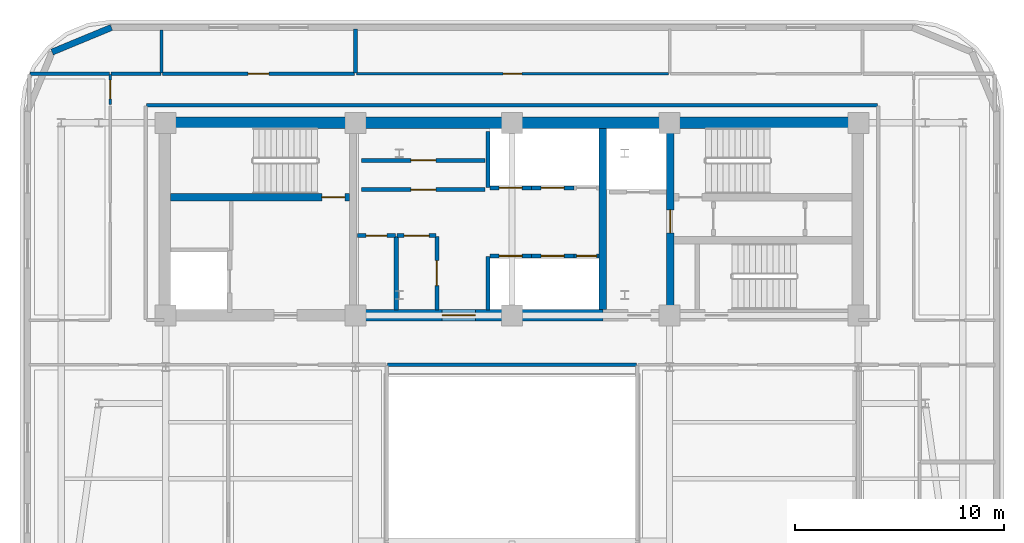
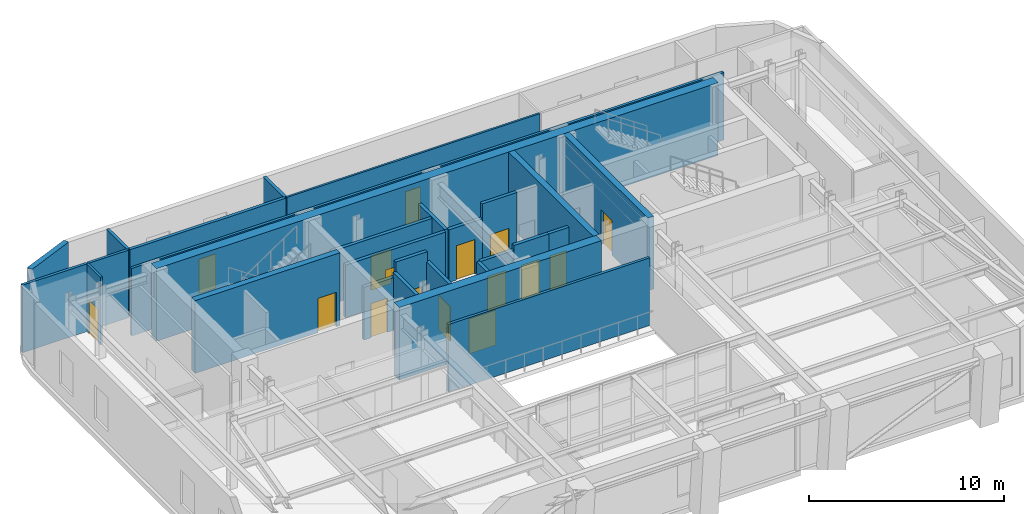
# One storey, part 7 of 13: 28 walls, 16 doors, 16 openings.
"""IFC4 building model written with IfcOpenShell, lengths in metres."""

from ifc_helpers import new_model, si_unit, direction, frame, frame_2d, origin, place, context, subcontext, project, spatial, rectangle, extrude, material, layer, layer_set, type_object, element, fill, save


model = new_model("IFC4")

# Units and contexts
model_context = context("Model", 3, precision=1e-05, world=origin(), true_north=direction((0.0, 1.0)))
body_context = subcontext(model_context, "Body", "Model", "MODEL_VIEW")
ifc_project = project(units=[si_unit("LENGTHUNIT", "METRE"), si_unit("AREAUNIT", "SQUARE_METRE"), si_unit("VOLUMEUNIT", "CUBIC_METRE"), si_unit("PLANEANGLEUNIT", "RADIAN"), si_unit("MASSUNIT", "GRAM", prefix="KILO")], contexts=[model_context])

# Site, building, storey
site_placement = place(None, origin())
site = spatial("IfcSite", under=ifc_project, at=site_placement, CompositionType="ELEMENT")
building_placement = place(site_placement, origin())
building = spatial("IfcBuilding", under=site, at=building_placement, Name="Zarnavel Station Tower", CompositionType="ELEMENT")
storey_placement = place(building_placement, frame((0.0, 0.0, 183.85009765625)))
storey = spatial("IfcBuildingStorey", under=building, at=storey_placement, Name="L50", CompositionType="ELEMENT", Elevation=183.85009765625)

# Wall
ifc_material_1 = material(Name="Concrete C50/60", Category="concrete")
ifc_layer_1 = layer(ifc_material_1, 0.35009765625)
ifc_layer_set_1 = layer_set([ifc_layer_1], Name="CW_350")
wall_type_1 = type_object("IfcWallType", Name="CW_350", PredefinedType="SHEAR", material=ifc_layer_set_1)
wall_1_placement = place(storey_placement, frame((33.14990234375, 28.094970703125, 0.0), z_axis=(0.0, 0.0, 1.0), x_axis=(0.0, 1.0, 0.0)))
element("IfcWall", 1, at=wall_1_placement, inside=storey, type_object=wall_type_1, Name="L50 Rear Core Shear Wall DIV-E", PredefinedType="SHEAR", context=body_context, shape_type="SweptSolid", body=[
    extrude(rectangle(XDim=8.679931640625, YDim=0.35009765625, at=frame_2d((4.33984375, 0.0))), origin(), (0.0, 0.0, 1.0), 4.5498046875),
])

# Wall, opening, door
wall_2_placement = place(storey_placement, frame((36.3798828125, 28.094970703125, 0.0), z_axis=(0.0, 0.0, 1.0), x_axis=(0.0, 1.0, 0.0)))
wall_2 = element("IfcWall", 2, at=wall_2_placement, inside=storey, type_object=wall_type_1, Name="L50 Rear Core Shear Wall DIV-S2", PredefinedType="SHEAR", context=body_context, shape_type="SweptSolid", body=[
    extrude(rectangle(XDim=8.679931640625, YDim=0.35009765625, at=frame_2d((4.33984375, 0.0))), origin(), (0.0, 0.0, 1.0), 4.5498046875),
])
opening_1_placement = place(wall_2_placement, frame((3.68505859375, 0.0, 0.0)))
opening_1 = element("IfcOpeningElement", 3, at=opening_1_placement, cuts=wall_2, Name="Opening FD01", PredefinedType="OPENING", context=body_context, shape_type="SweptSolid", body=[
    extrude(rectangle(XDim=1.10009765625, YDim=2.14990234375, at=frame_2d((0.550048828125, 1.074951171875))), frame((0.0, 0.18505859375, 0.0), z_axis=(0.0, -1.0, 0.0), x_axis=(1.0, 0.0, 0.0)), (0.0, 0.0, 1.0), 0.3701171875),
])
ifc_material_2 = material(Name="Painted Galvanised Steel and Hardwood Leaf", Category="steel")
door_type_1 = type_object("IfcDoorType", Name="ID_STAIR_1100", OperationType="NOTDEFINED", PredefinedType="DOOR", material=ifc_material_2)
door_1_placement = place(opening_1_placement, origin())
door_1 = element("IfcDoor", 4, at=door_1_placement, inside=storey, type_object=door_type_1, Name="L50 East Stair Vestibule Fire Door", OperationType="SINGLE_SWING_LEFT", OverallHeight=2.14990234375, OverallWidth=1.10009765625, PredefinedType="DOOR", context=body_context, shape_type="SweptSolid", body=[
    extrude(rectangle(XDim=1.10009765625, YDim=2.14990234375, at=frame_2d((0.550048828125, 1.074951171875))), frame((0.0, 0.02490234375, 0.0), z_axis=(0.0, -1.0, 0.0), x_axis=(1.0, 0.0, 0.0)), (0.0, 0.0, 1.0), 0.050048828125),
])
fill(opening_1, door_1)

wall_3_placement = place(storey_placement, frame((21.0048828125, 33.47998046875, 0.0), z_axis=(0.0, 0.0, 1.0), x_axis=(-1.0, 0.0, 0.0)))
wall_3 = element("IfcWall", 5, at=wall_3_placement, inside=storey, type_object=wall_type_1, Name="L50 Rear Core Shear Wall DIV-H1", PredefinedType="SHEAR", context=body_context, shape_type="SweptSolid", body=[
    extrude(rectangle(XDim=8.579833984375, YDim=0.35009765625, at=frame_2d((4.2900390625, 0.0))), origin(), (0.0, 0.0, 1.0), 4.5498046875),
])
opening_2_placement = place(wall_3_placement, frame((0.219970703125, 0.0, 0.0)))
opening_2 = element("IfcOpeningElement", 6, at=opening_2_placement, cuts=wall_3, Name="Opening FD01", PredefinedType="OPENING", context=body_context, shape_type="SweptSolid", body=[
    extrude(rectangle(XDim=1.10009765625, YDim=2.14990234375, at=frame_2d((0.550048828125, 1.074951171875))), frame((0.0, 0.18505859375, 0.0), z_axis=(0.0, -1.0, 0.0), x_axis=(1.0, 0.0, 0.0)), (0.0, 0.0, 1.0), 0.3701171875),
])
door_2_placement = place(opening_2_placement, origin())
door_2 = element("IfcDoor", 7, at=door_2_placement, inside=storey, type_object=door_type_1, Name="L50 Stair ST1 Lobby Fire Door", OperationType="SINGLE_SWING_LEFT", OverallHeight=2.14990234375, OverallWidth=1.10009765625, PredefinedType="DOOR", context=body_context, shape_type="SweptSolid", body=[
    extrude(rectangle(XDim=1.10009765625, YDim=2.14990234375, at=frame_2d((0.550048828125, 1.074951171875))), frame((0.0, 0.02490234375, 0.0), z_axis=(0.0, -1.0, 0.0), x_axis=(1.0, 0.0, 0.0)), (0.0, 0.0, 1.0), 0.050048828125),
])
fill(opening_2, door_2)

# Wall
ifc_material_3 = material(Name="Concrete C50/60", Category="concrete")
ifc_layer_2 = layer(ifc_material_3, 0.550048828125)
ifc_layer_set_2 = layer_set([ifc_layer_2], Name="CW_550")
wall_type_2 = type_object("IfcWallType", Name="CW_550", PredefinedType="SHEAR", material=ifc_layer_set_2)
wall_4_placement = place(storey_placement, frame((12.14990234375, 37.050048828125, 0.0), z_axis=(0.0, 0.0, 1.0), x_axis=(1.0, 0.0, 0.0)))
element("IfcWall", 8, at=wall_4_placement, inside=storey, type_object=wall_type_2, Name="L50 Rear Core Shear Wall N", PredefinedType="SHEAR", context=body_context, shape_type="SweptSolid", body=[
    extrude(rectangle(XDim=33.22998046875, YDim=0.550048828125, at=frame_2d((16.614990234375, 0.0))), origin(), (0.0, 0.0, 1.0), 4.5498046875),
])

# Wall, opening, door
wall_5_placement = place(storey_placement, frame((33.14990234375, 27.820068359375, 0.0), z_axis=(0.0, 0.0, 1.0), x_axis=(-1.0, 0.0, 0.0)))
wall_5 = element("IfcWall", 9, at=wall_5_placement, inside=storey, type_object=wall_type_2, Name="L50 Rear Core Shear Wall S-M", PredefinedType="SHEAR", context=body_context, shape_type="SweptSolid", body=[
    extrude(rectangle(XDim=11.969970703125, YDim=0.550048828125, at=frame_2d((5.98486328125, 0.0))), origin(), (0.0, 0.0, 1.0), 4.5498046875),
])
opening_3_placement = place(wall_5_placement, frame((6.10009765625, 0.0, 0.0)))
opening_3 = element("IfcOpeningElement", 10, at=opening_3_placement, cuts=wall_5, Name="Opening ID03", PredefinedType="OPENING", context=body_context, shape_type="SweptSolid", body=[
    extrude(rectangle(XDim=1.60009765625, YDim=2.199951171875, at=frame_2d((0.800048828125, 1.10009765625))), frame((0.0, 0.284912109375, 0.0), z_axis=(0.0, -1.0, 0.0), x_axis=(1.0, 0.0, 0.0)), (0.0, 0.0, 1.0), 0.570068359375),
])
ifc_material_4 = material(Name="Painted Galvanised Steel and Hardwood Leaf", Category="steel")
door_type_2 = type_object("IfcDoorType", Name="ID_PUBLIC_1600", OperationType="DOUBLE_DOOR_SINGLE_SWING", PredefinedType="DOOR", material=ifc_material_4)
door_3_placement = place(opening_3_placement, origin())
door_3 = element("IfcDoor", 11, at=door_3_placement, inside=storey, type_object=door_type_2, Name="L50 Passenger Lift Lobby Double Door", OperationType="SINGLE_SWING_LEFT", OverallHeight=2.199951171875, OverallWidth=1.60009765625, PredefinedType="DOOR", context=body_context, shape_type="SweptSolid", body=[
    extrude(rectangle(XDim=1.60009765625, YDim=2.199951171875, at=frame_2d((0.800048828125, 1.10009765625))), frame((0.0, 0.02490234375, 0.0), z_axis=(0.0, -1.0, 0.0), x_axis=(1.0, 0.0, 0.0)), (0.0, 0.0, 1.0), 0.050048828125),
])
fill(opening_3, door_3)

# Walls
ifc_material_5 = material(Name="Precast concrete C45/55 (Dark Basalt Finish)", Category="masonry")
ifc_layer_3 = layer(ifc_material_5, 0.300048828125)
ifc_layer_set_3 = layer_set([ifc_layer_3], Name="EW_BASALT_300")
wall_type_3 = type_object("IfcWallType", Name="EW_BASALT_300", PredefinedType="SOLIDWALL", material=ifc_layer_set_3)
wall_6_placement = place(storey_placement, frame((6.75732421875, 40.442626953125, 0.0), z_axis=(0.0, 0.0, 1.0), x_axis=(0.923882414032, 0.382676475685, 0.0)))
element("IfcWall", 12, at=wall_6_placement, inside=storey, type_object=wall_type_3, Name="L50 Exterior Basalt Masonry Frame Wall 07", PredefinedType="SOLIDWALL", context=body_context, shape_type="SweptSolid", body=[
    extrude(rectangle(XDim=3.076904296875, YDim=0.300048828125, at=frame_2d((1.53857421875, 0.0))), origin(), (0.0, 0.0, 1.0), 4.22998046875),
])
ifc_material_6 = material(Name="Gypsum Twin-Stud Acoustic Fire Partition", Category="concrete")
ifc_layer_4 = layer(ifc_material_6, 0.159912109375)
ifc_layer_set_4 = layer_set([ifc_layer_4], Name="PT_DEMISE_160")
wall_type_4 = type_object("IfcWallType", Name="PT_DEMISE_160", PredefinedType="PARTITIONING", material=ifc_layer_set_4)
wall_7_placement = place(storey_placement, frame((22.830078125, 25.449951171875, 0.0), z_axis=(0.0, 0.0, 1.0), x_axis=(1.0, 0.0, 0.0)))
element("IfcWall", 13, at=wall_7_placement, inside=storey, type_object=wall_type_4, Name="L50 Enclosure Wall SLCOR-S", PredefinedType="PARTITIONING", context=body_context, shape_type="SweptSolid", body=[
    extrude(rectangle(XDim=11.93994140625, YDim=0.159912109375, at=frame_2d((5.969970703125, 0.0))), origin(), (0.0, 0.0, 1.0), 4.22998046875),
])
wall_8_placement = place(storey_placement, frame((11.280029296875, 37.89990234375, 0.0), z_axis=(0.0, 0.0, 1.0), x_axis=(1.0, 0.0, 0.0)))
element("IfcWall", 14, at=wall_8_placement, inside=storey, type_object=wall_type_4, Name="L50 Enclosure Wall SLCOR-N", PredefinedType="PARTITIONING", context=body_context, shape_type="SweptSolid", body=[
    extrude(rectangle(XDim=35.0400390625, YDim=0.159912109375, at=frame_2d((17.52001953125, 0.0))), origin(), (0.0, 0.0, 1.0), 4.22998046875),
])
wall_9_placement = place(storey_placement, frame((9.580078125, 39.39990234375, 0.0), z_axis=(0.0, 0.0, 1.0), x_axis=(1.0, 0.0, 0.0)))
element("IfcWall", 15, at=wall_9_placement, inside=storey, type_object=wall_type_4, Name="L50 Enclosure Wall SLCOR-N", PredefinedType="PARTITIONING", context=body_context, shape_type="SweptSolid", body=[
    extrude(rectangle(XDim=2.389892578125, YDim=0.159912109375, at=frame_2d((1.19482421875, 0.0))), origin(), (0.0, 0.0, 1.0), 4.22998046875),
])
wall_10_placement = place(storey_placement, frame((5.68994140625, 39.39990234375, 0.0), z_axis=(0.0, 0.0, 1.0), x_axis=(1.0, 0.0, 0.0)))
element("IfcWall", 16, at=wall_10_placement, inside=storey, type_object=wall_type_4, Name="L50 Enclosure Wall SLNW", PredefinedType="PARTITIONING", context=body_context, shape_type="SweptSolid", body=[
    extrude(rectangle(XDim=3.830078125, YDim=0.159912109375, at=frame_2d((1.9150390625, 0.0))), origin(), (0.0, 0.0, 1.0), 4.22998046875),
])
wall_11_placement = place(storey_placement, frame((12.0, 39.429931640625, 0.0), z_axis=(0.0, 0.0, 1.0), x_axis=(0.0, 1.0, 0.0)))
element("IfcWall", 17, at=wall_11_placement, inside=storey, type_object=wall_type_4, Name="L50 Enclosure Wall SLNP", PredefinedType="PARTITIONING", context=body_context, shape_type="SweptSolid", body=[
    extrude(rectangle(XDim=2.080078125, YDim=0.159912109375, at=frame_2d((1.0400390625, 0.0))), origin(), (0.0, 0.0, 1.0), 4.22998046875),
])

# Wall, opening, door
ifc_material_7 = material(Name="Gypsum Metal-Stud Interior Partition", Category="concrete")
ifc_layer_5 = layer(ifc_material_7, 0.1201171875)
ifc_layer_set_5 = layer_set([ifc_layer_5], Name="PT_ROOM_120")
wall_type_5 = type_object("IfcWallType", Name="PT_ROOM_120", PredefinedType="PARTITIONING", material=ifc_layer_set_5)
wall_12_placement = place(storey_placement, frame((9.550048828125, 37.93994140625, 0.0), z_axis=(0.0, 0.0, 1.0), x_axis=(0.0, 1.0, 0.0)))
wall_12 = element("IfcWall", 18, at=wall_12_placement, inside=storey, type_object=wall_type_5, Name="L50 Partition SLCOR-N-SLNW", PredefinedType="PARTITIONING", context=body_context, shape_type="SweptSolid", body=[
    extrude(rectangle(XDim=1.420166015625, YDim=0.1201171875, at=frame_2d((0.7099609375, 0.0))), origin(), (0.0, 0.0, 1.0), 4.22998046875),
])
opening_4_placement = place(wall_12_placement, frame((0.260009765625, 0.0, 0.0)))
opening_4 = element("IfcOpeningElement", 19, at=opening_4_placement, cuts=wall_12, Name="Opening ID01", PredefinedType="OPENING", context=body_context, shape_type="SweptSolid", body=[
    extrude(rectangle(XDim=0.89990234375, YDim=2.10009765625, at=frame_2d((0.449951171875, 1.050048828125))), frame((0.0, 0.070068359375, 0.0), z_axis=(0.0, -1.0, 0.0), x_axis=(1.0, 0.0, 0.0)), (0.0, 0.0, 1.0), 0.14013671875),
])
ifc_material_8 = material(Name="Painted Galvanised Steel and Hardwood Leaf", Category="steel")
door_type_3 = type_object("IfcDoorType", Name="ID_ROOM_900", OperationType="NOTDEFINED", PredefinedType="DOOR", material=ifc_material_8)
door_4_placement = place(opening_4_placement, origin())
door_4 = element("IfcDoor", 20, at=door_4_placement, inside=storey, type_object=door_type_3, Name="L50 Door SLCOR-N-SLNW", OperationType="SINGLE_SWING_RIGHT", OverallHeight=2.10009765625, OverallWidth=0.89990234375, PredefinedType="DOOR", context=body_context, shape_type="SweptSolid", body=[
    extrude(rectangle(XDim=0.89990234375, YDim=2.10009765625, at=frame_2d((0.449951171875, 1.050048828125))), frame((0.0, 0.02490234375, 0.0), z_axis=(0.0, -1.0, 0.0), x_axis=(1.0, 0.0, 0.0)), (0.0, 0.0, 1.0), 0.050048828125),
])
fill(opening_4, door_4)

wall_13_placement = place(storey_placement, frame((21.340087890625, 39.39990234375, 0.0), z_axis=(0.0, 0.0, 1.0), x_axis=(1.0, 0.0, 0.0)))
wall_13 = element("IfcWall", 21, at=wall_13_placement, inside=storey, type_object=wall_type_5, Name="L50 Partition SLCOR-N-SLNS", PredefinedType="PARTITIONING", context=body_context, shape_type="SweptSolid", body=[
    extrude(rectangle(XDim=14.969970703125, YDim=0.1201171875, at=frame_2d((7.48486328125, 0.0))), origin(), (0.0, 0.0, 1.0), 4.22998046875),
])
opening_5_placement = place(wall_13_placement, frame((7.034912109375, 0.0, 0.0)))
opening_5 = element("IfcOpeningElement", 22, at=opening_5_placement, cuts=wall_13, Name="Opening ID01", PredefinedType="OPENING", context=body_context, shape_type="SweptSolid", body=[
    extrude(rectangle(XDim=0.89990234375, YDim=2.10009765625, at=frame_2d((0.449951171875, 1.050048828125))), frame((0.0, 0.070068359375, 0.0), z_axis=(0.0, -1.0, 0.0), x_axis=(1.0, 0.0, 0.0)), (0.0, 0.0, 1.0), 0.14013671875),
])
door_5_placement = place(opening_5_placement, origin())
door_5 = element("IfcDoor", 23, at=door_5_placement, inside=storey, type_object=door_type_3, Name="L50 Door SLCOR-N-SLNS", OperationType="SINGLE_SWING_LEFT", OverallHeight=2.10009765625, OverallWidth=0.89990234375, PredefinedType="DOOR", context=body_context, shape_type="SweptSolid", body=[
    extrude(rectangle(XDim=0.89990234375, YDim=2.10009765625, at=frame_2d((0.449951171875, 1.050048828125))), frame((0.0, 0.02490234375, 0.0), z_axis=(0.0, -1.0, 0.0), x_axis=(1.0, 0.0, 0.0)), (0.0, 0.0, 1.0), 0.050048828125),
])
fill(opening_5, door_5)

ifc_material_9 = material(Name="Precast concrete C45/55 (Fire Shaft Blockwork)", Category="masonry")
ifc_layer_6 = layer(ifc_material_9, 0.199951171875)
ifc_layer_set_6 = layer_set([ifc_layer_6], Name="PT_SHAFT_200")
wall_type_6 = type_object("IfcWallType", Name="PT_SHAFT_200", PredefinedType="PARTITIONING", material=ifc_layer_set_6)
wall_14_placement = place(storey_placement, frame((27.75, 30.669921875, 0.0), z_axis=(0.0, 0.0, 1.0), x_axis=(1.0, 0.0, 0.0)))
wall_14 = element("IfcWall", 24, at=wall_14_placement, inside=storey, type_object=wall_type_6, Name="L50 Lift PL-H1 Shaft Front Wall", PredefinedType="PARTITIONING", context=body_context, shape_type="SweptSolid", body=[
    extrude(rectangle(XDim=1.97509765625, YDim=0.199951171875, at=frame_2d((0.987548828125, 0.0))), origin(), (0.0, 0.0, 1.0), 3.2998046875),
])
opening_6_placement = place(wall_14_placement, frame((0.4375, 0.0, 0.0)))
opening_6 = element("IfcOpeningElement", 25, at=opening_6_placement, cuts=wall_14, Name="Opening LD02", PredefinedType="OPENING", context=body_context, shape_type="SweptSolid", body=[
    extrude(rectangle(XDim=1.10009765625, YDim=2.14990234375, at=frame_2d((0.550048828125, 1.074951171875))), frame((0.0, 0.10986328125, 0.0), z_axis=(0.0, -1.0, 0.0), x_axis=(1.0, 0.0, 0.0)), (0.0, 0.0, 1.0), 0.219970703125),
])
ifc_material_10 = material(Name="Painted Galvanised Steel and Hardwood Leaf", Category="steel")
door_type_4 = type_object("IfcDoorType", Name="LD_PAX_1100", OperationType="DOUBLE_DOOR_SLIDING", PredefinedType="DOOR", material=ifc_material_10)
door_6_placement = place(opening_6_placement, origin())
door_6 = element("IfcDoor", 26, at=door_6_placement, inside=storey, type_object=door_type_4, Name="L50 Lift PL-H1 Sliding Landing Door", OperationType="DOUBLE_DOOR_SLIDING", OverallHeight=2.14990234375, OverallWidth=1.10009765625, PredefinedType="DOOR", context=body_context, shape_type="SweptSolid", body=[
    extrude(rectangle(XDim=1.10009765625, YDim=2.14990234375, at=frame_2d((0.550048828125, 1.074951171875))), frame((0.0, 0.02490234375, 0.0), z_axis=(0.0, -1.0, 0.0), x_axis=(1.0, 0.0, 0.0)), (0.0, 0.0, 1.0), 0.050048828125),
])
fill(opening_6, door_6)

# Wall
wall_15_placement = place(storey_placement, frame((27.64990234375, 28.070068359375, 0.0), z_axis=(0.0, 0.0, 1.0), x_axis=(0.0, 1.0, 0.0)))
element("IfcWall", 27, at=wall_15_placement, inside=storey, type_object=wall_type_6, Name="L50 High-Rise Lift Bank West Shaft Wall", PredefinedType="PARTITIONING", context=body_context, shape_type="SweptSolid", body=[
    extrude(rectangle(XDim=2.579833984375, YDim=0.199951171875, at=frame_2d((1.2900390625, 0.0))), origin(), (0.0, 0.0, 1.0), 3.2998046875),
])

# Wall, opening, door
wall_16_placement = place(storey_placement, frame((29.72509765625, 30.669921875, 0.0), z_axis=(0.0, 0.0, 1.0), x_axis=(1.0, 0.0, 0.0)))
wall_16 = element("IfcWall", 28, at=wall_16_placement, inside=storey, type_object=wall_type_6, Name="L50 Lift PL-H2 Shaft Front Wall", PredefinedType="PARTITIONING", context=body_context, shape_type="SweptSolid", body=[
    extrude(rectangle(XDim=2.0498046875, YDim=0.199951171875, at=frame_2d((1.02490234375, 0.0))), origin(), (0.0, 0.0, 1.0), 3.60986328125),
])
opening_7_placement = place(wall_16_placement, frame((0.47509765625, 0.0, 0.0)))
opening_7 = element("IfcOpeningElement", 29, at=opening_7_placement, cuts=wall_16, Name="Opening LD02", PredefinedType="OPENING", context=body_context, shape_type="SweptSolid", body=[
    extrude(rectangle(XDim=1.10009765625, YDim=2.14990234375, at=frame_2d((0.550048828125, 1.074951171875))), frame((0.0, 0.10986328125, 0.0), z_axis=(0.0, -1.0, 0.0), x_axis=(1.0, 0.0, 0.0)), (0.0, 0.0, 1.0), 0.219970703125),
])
door_7_placement = place(opening_7_placement, origin())
door_7 = element("IfcDoor", 30, at=door_7_placement, inside=storey, type_object=door_type_4, Name="L50 Lift PL-H2 Sliding Landing Door", OperationType="DOUBLE_DOOR_SLIDING", OverallHeight=2.14990234375, OverallWidth=1.10009765625, PredefinedType="DOOR", context=body_context, shape_type="SweptSolid", body=[
    extrude(rectangle(XDim=1.10009765625, YDim=2.14990234375, at=frame_2d((0.550048828125, 1.074951171875))), frame((0.0, 0.02490234375, 0.0), z_axis=(0.0, -1.0, 0.0), x_axis=(1.0, 0.0, 0.0)), (0.0, 0.0, 1.0), 0.050048828125),
])
fill(opening_7, door_7)

wall_17_placement = place(storey_placement, frame((31.77490234375, 30.669921875, 0.0), z_axis=(0.0, 0.0, 1.0), x_axis=(1.0, 0.0, 0.0)))
wall_17 = element("IfcWall", 31, at=wall_17_placement, inside=storey, type_object=wall_type_6, Name="L50 Lift PL-H3 Shaft Front Wall", PredefinedType="PARTITIONING", context=body_context, shape_type="SweptSolid", body=[
    extrude(rectangle(XDim=1.2001953125, YDim=0.199951171875, at=frame_2d((0.60009765625, 0.0))), origin(), (0.0, 0.0, 1.0), 3.60986328125),
])
opening_8_placement = place(wall_17_placement, frame((0.125, 0.0, 0.0)))
opening_8 = element("IfcOpeningElement", 32, at=opening_8_placement, cuts=wall_17, Name="Opening LD03", PredefinedType="OPENING", context=body_context, shape_type="SweptSolid", body=[
    extrude(rectangle(XDim=0.949951171875, YDim=2.14990234375, at=frame_2d((0.47509765625, 1.074951171875))), frame((0.0, 0.10986328125, 0.0), z_axis=(0.0, -1.0, 0.0), x_axis=(1.0, 0.0, 0.0)), (0.0, 0.0, 1.0), 0.219970703125),
])
ifc_material_11 = material(Name="Painted Galvanised Steel and Hardwood Leaf", Category="steel")
door_type_5 = type_object("IfcDoorType", Name="LD_PAX_0950", OperationType="DOUBLE_DOOR_SLIDING", PredefinedType="DOOR", material=ifc_material_11)
door_8_placement = place(opening_8_placement, origin())
door_8 = element("IfcDoor", 33, at=door_8_placement, inside=storey, type_object=door_type_5, Name="L50 Lift PL-H3 Sliding Landing Door", OperationType="DOUBLE_DOOR_SLIDING", OverallHeight=2.14990234375, OverallWidth=0.949951171875, PredefinedType="DOOR", context=body_context, shape_type="SweptSolid", body=[
    extrude(rectangle(XDim=0.949951171875, YDim=2.14990234375, at=frame_2d((0.47509765625, 1.074951171875))), frame((0.0, 0.02490234375, 0.0), z_axis=(0.0, -1.0, 0.0), x_axis=(1.0, 0.0, 0.0)), (0.0, 0.0, 1.0), 0.050048828125),
])
fill(opening_8, door_8)

wall_18_placement = place(storey_placement, frame((27.75, 33.929931640625, 0.0), z_axis=(0.0, 0.0, 1.0), x_axis=(1.0, 0.0, 0.0)))
wall_18 = element("IfcWall", 34, at=wall_18_placement, inside=storey, type_object=wall_type_6, Name="L50 Lift PL-M1 Shaft Front Wall", PredefinedType="PARTITIONING", context=body_context, shape_type="SweptSolid", body=[
    extrude(rectangle(XDim=1.97509765625, YDim=0.199951171875, at=frame_2d((0.987548828125, 0.0))), origin(), (0.0, 0.0, 1.0), 3.2998046875),
])
opening_9_placement = place(wall_18_placement, frame((0.4375, 0.0, 0.0)))
opening_9 = element("IfcOpeningElement", 35, at=opening_9_placement, cuts=wall_18, Name="Opening LD02", PredefinedType="OPENING", context=body_context, shape_type="SweptSolid", body=[
    extrude(rectangle(XDim=1.10009765625, YDim=2.14990234375, at=frame_2d((0.550048828125, 1.074951171875))), frame((0.0, 0.10986328125, 0.0), z_axis=(0.0, -1.0, 0.0), x_axis=(1.0, 0.0, 0.0)), (0.0, 0.0, 1.0), 0.219970703125),
])
door_9_placement = place(opening_9_placement, origin())
door_9 = element("IfcDoor", 36, at=door_9_placement, inside=storey, type_object=door_type_4, Name="L50 Lift PL-M1 Sliding Landing Door", OperationType="DOUBLE_DOOR_SLIDING", OverallHeight=2.14990234375, OverallWidth=1.10009765625, PredefinedType="DOOR", context=body_context, shape_type="SweptSolid", body=[
    extrude(rectangle(XDim=1.10009765625, YDim=2.14990234375, at=frame_2d((0.550048828125, 1.074951171875))), frame((0.0, 0.02490234375, 0.0), z_axis=(0.0, -1.0, 0.0), x_axis=(1.0, 0.0, 0.0)), (0.0, 0.0, 1.0), 0.050048828125),
])
fill(opening_9, door_9)

# Wall
wall_19_placement = place(storey_placement, frame((27.64990234375, 33.949951171875, 0.0), z_axis=(0.0, 0.0, 1.0), x_axis=(0.0, 1.0, 0.0)))
element("IfcWall", 37, at=wall_19_placement, inside=storey, type_object=wall_type_6, Name="L50 Mid-Rise Lift Bank West Shaft Wall", PredefinedType="PARTITIONING", context=body_context, shape_type="SweptSolid", body=[
    extrude(rectangle(XDim=2.679931640625, YDim=0.199951171875, at=frame_2d((1.33984375, 0.0))), origin(), (0.0, 0.0, 1.0), 3.2998046875),
])

# Wall, opening, door
wall_20_placement = place(storey_placement, frame((29.72509765625, 33.929931640625, 0.0), z_axis=(0.0, 0.0, 1.0), x_axis=(1.0, 0.0, 0.0)))
wall_20 = element("IfcWall", 38, at=wall_20_placement, inside=storey, type_object=wall_type_6, Name="L50 Lift PL-M2 Shaft Front Wall", PredefinedType="PARTITIONING", context=body_context, shape_type="SweptSolid", body=[
    extrude(rectangle(XDim=2.0498046875, YDim=0.199951171875, at=frame_2d((1.02490234375, 0.0))), origin(), (0.0, 0.0, 1.0), 4.22998046875),
])
opening_10_placement = place(wall_20_placement, frame((0.47509765625, 0.0, 0.0)))
opening_10 = element("IfcOpeningElement", 39, at=opening_10_placement, cuts=wall_20, Name="Opening LD02", PredefinedType="OPENING", context=body_context, shape_type="SweptSolid", body=[
    extrude(rectangle(XDim=1.10009765625, YDim=2.14990234375, at=frame_2d((0.550048828125, 1.074951171875))), frame((0.0, 0.10986328125, 0.0), z_axis=(0.0, -1.0, 0.0), x_axis=(1.0, 0.0, 0.0)), (0.0, 0.0, 1.0), 0.219970703125),
])
door_10_placement = place(opening_10_placement, origin())
door_10 = element("IfcDoor", 40, at=door_10_placement, inside=storey, type_object=door_type_4, Name="L50 Lift PL-M2 Sliding Landing Door", OperationType="DOUBLE_DOOR_SLIDING", OverallHeight=2.14990234375, OverallWidth=1.10009765625, PredefinedType="DOOR", context=body_context, shape_type="SweptSolid", body=[
    extrude(rectangle(XDim=1.10009765625, YDim=2.14990234375, at=frame_2d((0.550048828125, 1.074951171875))), frame((0.0, 0.02490234375, 0.0), z_axis=(0.0, -1.0, 0.0), x_axis=(1.0, 0.0, 0.0)), (0.0, 0.0, 1.0), 0.050048828125),
])
fill(opening_10, door_10)

wall_21_placement = place(storey_placement, frame((21.39990234375, 31.64990234375, 0.0), z_axis=(0.0, 0.0, 1.0), x_axis=(1.0, 0.0, 0.0)))
wall_21 = element("IfcWall", 41, at=wall_21_placement, inside=storey, type_object=wall_type_6, Name="L50 Partition LLOB-CS1", PredefinedType="PARTITIONING", context=body_context, shape_type="SweptSolid", body=[
    extrude(rectangle(XDim=1.81005859375, YDim=0.199951171875, at=frame_2d((0.905029296875, 0.0))), origin(), (0.0, 0.0, 1.0), 3.2998046875),
])
opening_11_placement = place(wall_21_placement, frame((0.405029296875, 0.0, 0.0)))
opening_11 = element("IfcOpeningElement", 42, at=opening_11_placement, cuts=wall_21, Name="Opening FD02", PredefinedType="OPENING", context=body_context, shape_type="SweptSolid", body=[
    extrude(rectangle(XDim=1.0, YDim=2.14990234375, at=frame_2d((0.5, 1.074951171875))), frame((0.0, 0.10986328125, 0.0), z_axis=(0.0, -1.0, 0.0), x_axis=(1.0, 0.0, 0.0)), (0.0, 0.0, 1.0), 0.219970703125),
])
ifc_material_12 = material(Name="Painted Galvanised Steel and Hardwood Leaf", Category="steel")
door_type_6 = type_object("IfcDoorType", Name="ID_ENTRY_1000", OperationType="NOTDEFINED", PredefinedType="DOOR", material=ifc_material_12)
door_11_placement = place(opening_11_placement, origin())
door_11 = element("IfcDoor", 43, at=door_11_placement, inside=storey, type_object=door_type_6, Name="L50 Door LLOB-CS1", OperationType="SINGLE_SWING_RIGHT", OverallHeight=2.14990234375, OverallWidth=1.0, PredefinedType="DOOR", context=body_context, shape_type="SweptSolid", body=[
    extrude(rectangle(XDim=1.0, YDim=2.14990234375, at=frame_2d((0.5, 1.074951171875))), frame((0.0, 0.02490234375, 0.0), z_axis=(0.0, -1.0, 0.0), x_axis=(1.0, 0.0, 0.0)), (0.0, 0.0, 1.0), 0.050048828125),
])
fill(opening_11, door_11)

wall_22_placement = place(storey_placement, frame((23.2900390625, 31.64990234375, 0.0), z_axis=(0.0, 0.0, 1.0), x_axis=(1.0, 0.0, 0.0)))
wall_22 = element("IfcWall", 44, at=wall_22_placement, inside=storey, type_object=wall_type_6, Name="L50 Partition LLOB-CS2", PredefinedType="PARTITIONING", context=body_context, shape_type="SweptSolid", body=[
    extrude(rectangle(XDim=1.869873046875, YDim=0.199951171875, at=frame_2d((0.93505859375, 0.0))), origin(), (0.0, 0.0, 1.0), 4.22998046875),
])
opening_12_placement = place(wall_22_placement, frame((0.3349609375, 0.0, 0.0)))
opening_12 = element("IfcOpeningElement", 45, at=opening_12_placement, cuts=wall_22, Name="Opening FD03", PredefinedType="OPENING", context=body_context, shape_type="SweptSolid", body=[
    extrude(rectangle(XDim=1.199951171875, YDim=2.14990234375, at=frame_2d((0.60009765625, 1.074951171875))), frame((0.0, 0.10986328125, 0.0), z_axis=(0.0, -1.0, 0.0), x_axis=(1.0, 0.0, 0.0)), (0.0, 0.0, 1.0), 0.219970703125),
])
ifc_material_13 = material(Name="Painted Galvanised Steel and Hardwood Leaf", Category="steel")
door_type_7 = type_object("IfcDoorType", Name="ID_PLANT_1200", OperationType="NOTDEFINED", PredefinedType="DOOR", material=ifc_material_13)
door_12_placement = place(opening_12_placement, origin())
door_12 = element("IfcDoor", 46, at=door_12_placement, inside=storey, type_object=door_type_7, Name="L50 Door LLOB-CS2", OperationType="SINGLE_SWING_LEFT", OverallHeight=2.14990234375, OverallWidth=1.199951171875, PredefinedType="DOOR", context=body_context, shape_type="SweptSolid", body=[
    extrude(rectangle(XDim=1.199951171875, YDim=2.14990234375, at=frame_2d((0.60009765625, 1.074951171875))), frame((0.0, 0.02490234375, 0.0), z_axis=(0.0, -1.0, 0.0), x_axis=(1.0, 0.0, 0.0)), (0.0, 0.0, 1.0), 0.050048828125),
])
fill(opening_12, door_12)

wall_23_placement = place(storey_placement, frame((21.590087890625, 33.85009765625, 0.0), z_axis=(0.0, 0.0, 1.0), x_axis=(1.0, 0.0, 0.0)))
wall_23 = element("IfcWall", 47, at=wall_23_placement, inside=storey, type_object=wall_type_6, Name="L50 Partition LLOB-FB1A", PredefinedType="PARTITIONING", context=body_context, shape_type="SweptSolid", body=[
    extrude(rectangle(XDim=5.919921875, YDim=0.199951171875, at=frame_2d((2.9599609375, 0.0))), origin(), (0.0, 0.0, 1.0), 3.2998046875),
])
opening_13_placement = place(wall_23_placement, frame((2.360107421875, 0.0, 0.0)))
opening_13 = element("IfcOpeningElement", 48, at=opening_13_placement, cuts=wall_23, Name="Opening FD03", PredefinedType="OPENING", context=body_context, shape_type="SweptSolid", body=[
    extrude(rectangle(XDim=1.199951171875, YDim=2.14990234375, at=frame_2d((0.60009765625, 1.074951171875))), frame((0.0, 0.10986328125, 0.0), z_axis=(0.0, -1.0, 0.0), x_axis=(1.0, 0.0, 0.0)), (0.0, 0.0, 1.0), 0.219970703125),
])
door_13_placement = place(opening_13_placement, origin())
door_13 = element("IfcDoor", 49, at=door_13_placement, inside=storey, type_object=door_type_7, Name="L50 Door LLOB-FB1A", OperationType="SINGLE_SWING_RIGHT", OverallHeight=2.14990234375, OverallWidth=1.199951171875, PredefinedType="DOOR", context=body_context, shape_type="SweptSolid", body=[
    extrude(rectangle(XDim=1.199951171875, YDim=2.14990234375, at=frame_2d((0.60009765625, 1.074951171875))), frame((0.0, 0.02490234375, 0.0), z_axis=(0.0, -1.0, 0.0), x_axis=(1.0, 0.0, 0.0)), (0.0, 0.0, 1.0), 0.050048828125),
])
fill(opening_13, door_13)

wall_24_placement = place(storey_placement, frame((25.199951171875, 28.090087890625, 0.0), z_axis=(0.0, 0.0, 1.0), x_axis=(0.0, 1.0, 0.0)))
wall_24 = element("IfcWall", 50, at=wall_24_placement, inside=storey, type_object=wall_type_6, Name="L50 Partition LLOBS-CS2", PredefinedType="PARTITIONING", context=body_context, shape_type="SweptSolid", body=[
    extrude(rectangle(XDim=3.52001953125, YDim=0.199951171875, at=frame_2d((1.760009765625, 0.0))), origin(), (0.0, 0.0, 1.0), 3.60986328125),
])
opening_14_placement = place(wall_24_placement, frame((1.159912109375, 0.0, 0.0)))
opening_14 = element("IfcOpeningElement", 51, at=opening_14_placement, cuts=wall_24, Name="Opening FD03", PredefinedType="OPENING", context=body_context, shape_type="SweptSolid", body=[
    extrude(rectangle(XDim=1.199951171875, YDim=2.14990234375, at=frame_2d((0.60009765625, 1.074951171875))), frame((0.0, 0.10986328125, 0.0), z_axis=(0.0, -1.0, 0.0), x_axis=(1.0, 0.0, 0.0)), (0.0, 0.0, 1.0), 0.219970703125),
])
door_14_placement = place(opening_14_placement, origin())
door_14 = element("IfcDoor", 52, at=door_14_placement, inside=storey, type_object=door_type_7, Name="L50 Door LLOBS-CS2", OperationType="SINGLE_SWING_LEFT", OverallHeight=2.14990234375, OverallWidth=1.199951171875, PredefinedType="DOOR", context=body_context, shape_type="SweptSolid", body=[
    extrude(rectangle(XDim=1.199951171875, YDim=2.14990234375, at=frame_2d((0.60009765625, 1.074951171875))), frame((0.0, 0.02490234375, 0.0), z_axis=(0.0, -1.0, 0.0), x_axis=(1.0, 0.0, 0.0)), (0.0, 0.0, 1.0), 0.050048828125),
])
fill(opening_14, door_14)

# Wall
wall_25_placement = place(storey_placement, frame((23.25, 28.090087890625, 0.0), z_axis=(0.0, 0.0, 1.0), x_axis=(0.0, 1.0, 0.0)))
element("IfcWall", 53, at=wall_25_placement, inside=storey, type_object=wall_type_6, Name="L50 Partition CS1-CS2", PredefinedType="PARTITIONING", context=body_context, shape_type="SweptSolid", body=[
    extrude(rectangle(XDim=3.52001953125, YDim=0.199951171875, at=frame_2d((1.760009765625, 0.0))), origin(), (0.0, 0.0, 1.0), 3.60986328125),
])

# Wall, opening, door
wall_26_placement = place(storey_placement, frame((21.590087890625, 35.25, 0.0), z_axis=(0.0, 0.0, 1.0), x_axis=(1.0, 0.0, 0.0)))
wall_26 = element("IfcWall", 54, at=wall_26_placement, inside=storey, type_object=wall_type_6, Name="L50 Partition FB1A-FB1B", PredefinedType="PARTITIONING", context=body_context, shape_type="SweptSolid", body=[
    extrude(rectangle(XDim=5.919921875, YDim=0.199951171875, at=frame_2d((2.9599609375, 0.0))), origin(), (0.0, 0.0, 1.0), 3.2998046875),
])
opening_15_placement = place(wall_26_placement, frame((2.360107421875, 0.0, 0.0)))
opening_15 = element("IfcOpeningElement", 55, at=opening_15_placement, cuts=wall_26, Name="Opening FD03", PredefinedType="OPENING", context=body_context, shape_type="SweptSolid", body=[
    extrude(rectangle(XDim=1.199951171875, YDim=2.14990234375, at=frame_2d((0.60009765625, 1.074951171875))), frame((0.0, 0.10986328125, 0.0), z_axis=(0.0, -1.0, 0.0), x_axis=(1.0, 0.0, 0.0)), (0.0, 0.0, 1.0), 0.219970703125),
])
door_15_placement = place(opening_15_placement, origin())
door_15 = element("IfcDoor", 56, at=door_15_placement, inside=storey, type_object=door_type_7, Name="L50 Door FB1A-FB1B", OperationType="SINGLE_SWING_RIGHT", OverallHeight=2.14990234375, OverallWidth=1.199951171875, PredefinedType="DOOR", context=body_context, shape_type="SweptSolid", body=[
    extrude(rectangle(XDim=1.199951171875, YDim=2.14990234375, at=frame_2d((0.60009765625, 1.074951171875))), frame((0.0, 0.02490234375, 0.0), z_axis=(0.0, -1.0, 0.0), x_axis=(1.0, 0.0, 0.0)), (0.0, 0.0, 1.0), 0.050048828125),
])
fill(opening_15, door_15)

ifc_material_14 = material(Name="Moisture-Resistant Plumbing Chase Wall", Category="concrete")
ifc_layer_7 = layer(ifc_material_14, 0.179931640625)
ifc_layer_set_7 = layer_set([ifc_layer_7], Name="PW_PLUMB_180")
wall_type_7 = type_object("IfcWallType", Name="PW_PLUMB_180", PredefinedType="PLUMBINGWALL", material=ifc_layer_set_7)
wall_27_placement = place(storey_placement, frame((12.0400390625, 39.39990234375, 0.0), z_axis=(0.0, 0.0, 1.0), x_axis=(1.0, 0.0, 0.0)))
wall_27 = element("IfcWall", 57, at=wall_27_placement, inside=storey, type_object=wall_type_7, Name="L50 Partition SLCOR-N-SLNP", PredefinedType="PLUMBINGWALL", context=body_context, shape_type="SweptSolid", body=[
    extrude(rectangle(XDim=9.219970703125, YDim=0.179931640625, at=frame_2d((4.60986328125, 0.0))), origin(), (0.0, 0.0, 1.0), 4.22998046875),
])
opening_16_placement = place(wall_27_placement, frame((4.110107421875, 0.0, 0.0)))
opening_16 = element("IfcOpeningElement", 58, at=opening_16_placement, cuts=wall_27, Name="Opening FD02", PredefinedType="OPENING", context=body_context, shape_type="SweptSolid", body=[
    extrude(rectangle(XDim=1.0, YDim=2.14990234375, at=frame_2d((0.5, 1.074951171875))), frame((0.0, 0.099853515625, 0.0), z_axis=(0.0, -1.0, 0.0), x_axis=(1.0, 0.0, 0.0)), (0.0, 0.0, 1.0), 0.199951171875),
])
door_16_placement = place(opening_16_placement, origin())
door_16 = element("IfcDoor", 59, at=door_16_placement, inside=storey, type_object=door_type_6, Name="L50 Door SLCOR-N-SLNP", OperationType="SINGLE_SWING_RIGHT", OverallHeight=2.14990234375, OverallWidth=1.0, PredefinedType="DOOR", context=body_context, shape_type="SweptSolid", body=[
    extrude(rectangle(XDim=1.0, YDim=2.14990234375, at=frame_2d((0.5, 1.074951171875))), frame((0.0, 0.02490234375, 0.0), z_axis=(0.0, -1.0, 0.0), x_axis=(1.0, 0.0, 0.0)), (0.0, 0.0, 1.0), 0.050048828125),
])
fill(opening_16, door_16)

# Wall
wall_28_placement = place(storey_placement, frame((21.300048828125, 39.43994140625, 0.0), z_axis=(0.0, 0.0, 1.0), x_axis=(0.0, 1.0, 0.0)))
element("IfcWall", 60, at=wall_28_placement, inside=storey, type_object=wall_type_7, Name="L50 Partition SLNP-SLNS", PredefinedType="PLUMBINGWALL", context=body_context, shape_type="SweptSolid", body=[
    extrude(rectangle(XDim=2.10009765625, YDim=0.179931640625, at=frame_2d((1.050048828125, 0.0))), origin(), (0.0, 0.0, 1.0), 4.22998046875),
])

save(model, "model.ifc")
